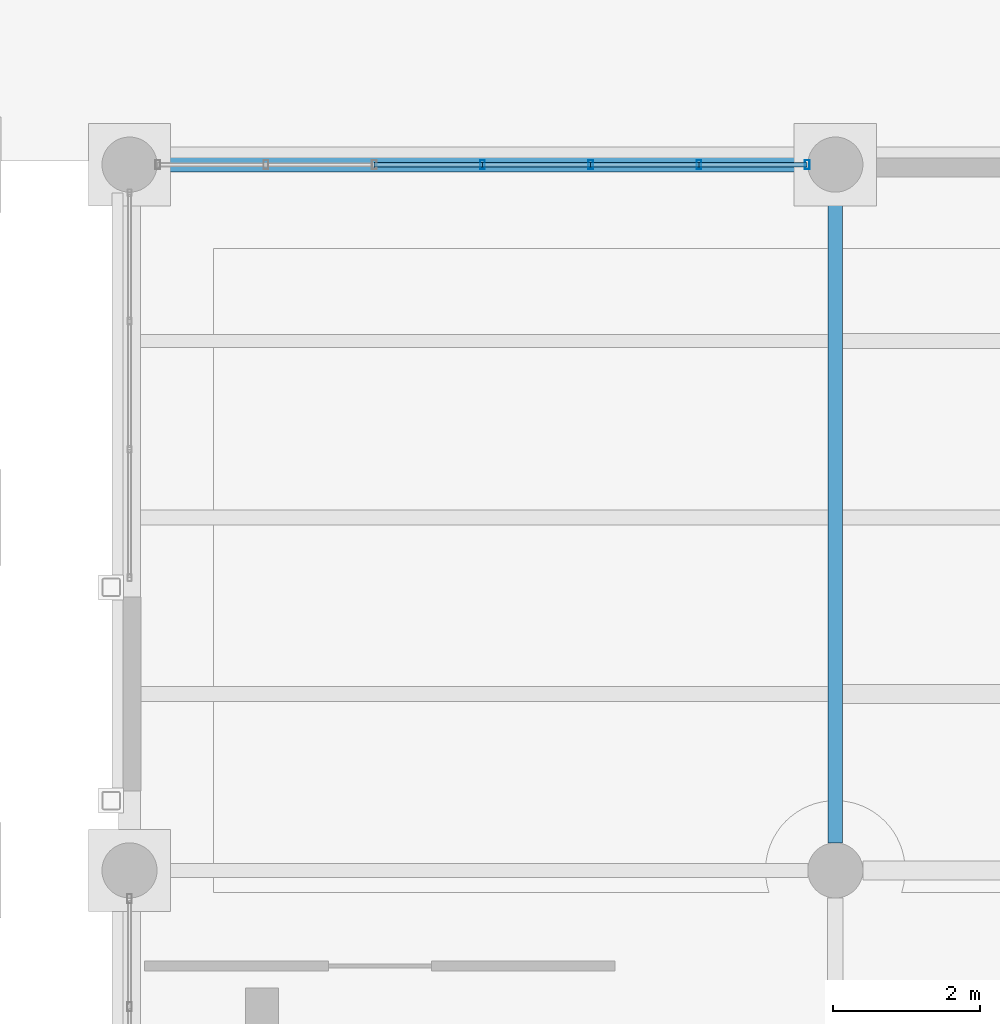
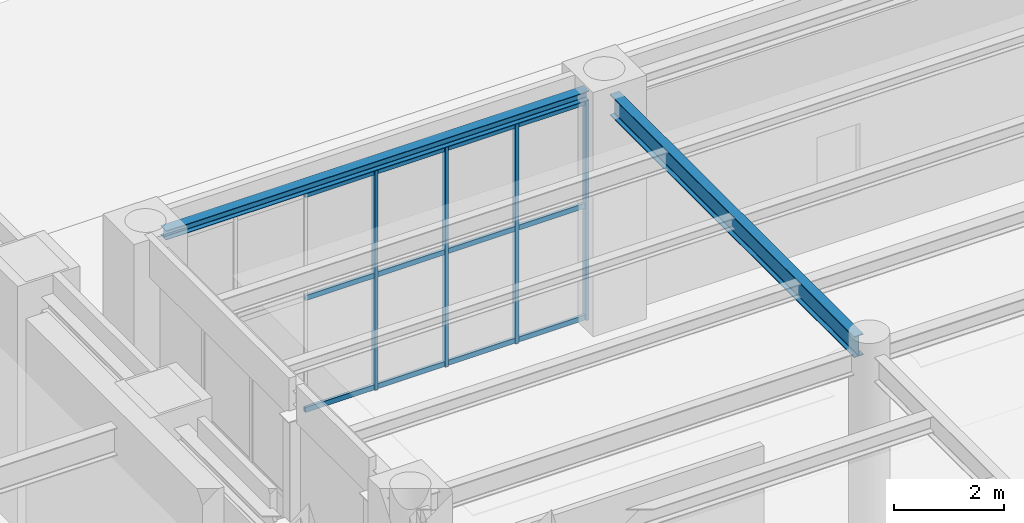
# One storey, part 64 of 164: 16 members, 2 beams, 1 element without a shape of its own.
"""IFC4 building model written with IfcOpenShell, lengths in metres."""

from ifc_helpers import new_model, si_unit, direction, frame, origin, origin_2d, place, context, subcontext, project, spatial, hollow_rectangle, i_section, extrude, material, material_profile, profile_set, type_object, element, aggregate, save


model = new_model("IFC4")

# Units and contexts
model_context = context("Model", 3, precision=1e-05, world=origin(), true_north=direction((0.0, 1.0)))
body_context = subcontext(model_context, "Body", "Model", "MODEL_VIEW")
ifc_project = project(units=[si_unit("LENGTHUNIT", "METRE"), si_unit("AREAUNIT", "SQUARE_METRE"), si_unit("VOLUMEUNIT", "CUBIC_METRE"), si_unit("PLANEANGLEUNIT", "RADIAN"), si_unit("MASSUNIT", "GRAM", prefix="KILO")], contexts=[model_context])

# Site, building, storey
site_placement = place(None, origin())
site = spatial("IfcSite", under=ifc_project, at=site_placement, CompositionType="ELEMENT")
building_placement = place(site_placement, origin())
building = spatial("IfcBuilding", under=site, at=building_placement, Name="Mavantir Sound Aquarium", CompositionType="ELEMENT")
storey_placement = place(building_placement, origin())
storey = spatial("IfcBuildingStorey", under=building, at=storey_placement, Name="L00", CompositionType="ELEMENT", Elevation=0.0)

# Beams
ifc_material_1 = material(Name="Structural Steel ASTM A992 Gr50", Category="steel")
ifc_material_profile_1 = material_profile(ifc_material_1, i_section(OverallWidth=0.202880859375, OverallDepth=0.202880859375, WebThickness=0.007080078125, FlangeThickness=0.010986328125, FilletRadius=0.010009765625, at=origin_2d()), Name="W200X46")
ifc_profile_set_1 = profile_set([ifc_material_profile_1], Name="Structural Steel ASTM A992 Gr50")
beam_type_1 = type_object("IfcBeamType", Name="BM-W200X46-E", PredefinedType="LINTEL", material=ifc_profile_set_1)
beam_1_placement = place(storey_placement, frame((36.375, 69.60009765625, 4.994384765625), z_axis=(1.0, 0.0, 0.0), x_axis=(0.0, 1.0, 0.0)))
element("IfcBeam", 1, at=beam_1_placement, inside=storey, type_object=beam_type_1, Name="L00 primary beam SL-20 874", PredefinedType="LINTEL", context=body_context, shape_type="SweptSolid", body=[
    extrude(i_section(OverallWidth=0.202880859375, OverallDepth=0.202880859375, WebThickness=0.007080078125, FlangeThickness=0.010986328125, FilletRadius=0.010009765625, at=origin_2d()), origin(), (0.0, 0.0, 1.0), 8.85009765625),
])
ifc_material_profile_2 = material_profile(ifc_material_1, i_section(OverallWidth=0.194091796875, OverallDepth=0.468994140625, WebThickness=0.0126953125, FlangeThickness=0.0205078125, FilletRadius=0.01611328125, at=origin_2d()), Name="W460X106")
ifc_profile_set_2 = profile_set([ifc_material_profile_2], Name="Structural Steel ASTM A992 Gr50")
beam_type_2 = type_object("IfcBeamType", Name="BM-W460X106-I", PredefinedType="BEAM", material=ifc_profile_set_2)
beam_2_placement = place(storey_placement, frame((45.60009765625, 60.375, 4.861572265625), z_axis=(0.0, 1.0, 0.0), x_axis=(-1.0, 0.0, 0.0)))
element("IfcBeam", 2, at=beam_2_placement, inside=storey, type_object=beam_type_2, Name="L00 primary girder SB-46 882", PredefinedType="BEAM", context=body_context, shape_type="SweptSolid", body=[
    extrude(i_section(OverallWidth=0.194091796875, OverallDepth=0.468994140625, WebThickness=0.0126953125, FlangeThickness=0.0205078125, FilletRadius=0.01611328125, at=origin_2d()), origin(), (0.0, 0.0, 1.0), 8.85009765625),
])

# Curtain wall, members
ifc_material_2 = material(Name="Anodised Marine Aluminium and Low-E Glass", Category="aluminium")
curtain_wall_type = type_object("IfcCurtainWallType", Name="CW-T02", PredefinedType="USERDEFINED", material=ifc_material_2)
curtain_wall_placement = place(storey_placement, origin())
curtain_wall = element("IfcCurtainWall", 3, at=curtain_wall_placement, inside=storey, type_object=curtain_wall_type, Name="L00 unitised curtain wall CW-02 2", ObjectType="UNITISED GLAZING", PredefinedType="USERDEFINED")
ifc_material_3 = material(Name="Anodised Marine Aluminium 6063-T6", Category="aluminium")
ifc_material_profile_3 = material_profile(ifc_material_3, hollow_rectangle(XDim=0.06494140625, YDim=0.1201171875, WallThickness=0.00390625, at=origin_2d()), Name="ALU-MULLION-120X65")
ifc_profile_set_3 = profile_set([ifc_material_profile_3], Name="Anodised Marine Aluminium 6063-T6")
member_type_1 = type_object("IfcMemberType", Name="CW-MUL-120", PredefinedType="MULLION", material=ifc_profile_set_3)
member_1_placement = place(storey_placement, frame((45.217041015625, 69.60009765625, 0.0), z_axis=(0.0, 0.0, 1.0), x_axis=(1.0, 0.0, 0.0)))
member_1 = element("IfcMember", 4, at=member_1_placement, type_object=member_type_1, Name="CW-L00-002 vertical mullion 1", PredefinedType="MULLION", context=body_context, shape_type="SweptSolid", body=[
    extrude(hollow_rectangle(XDim=0.06494140625, YDim=0.1201171875, WallThickness=0.00390625, at=origin_2d()), origin(), (0.0, 0.0, 1.0), 4.863037109375),
])
member_2_placement = place(storey_placement, frame((43.74462890625, 69.60009765625, 0.0), z_axis=(0.0, 0.0, 1.0), x_axis=(1.0, 0.0, 0.0)))
member_2 = element("IfcMember", 5, at=member_2_placement, type_object=member_type_1, Name="CW-L00-002 vertical mullion 2", PredefinedType="MULLION", context=body_context, shape_type="SweptSolid", body=[
    extrude(hollow_rectangle(XDim=0.06494140625, YDim=0.1201171875, WallThickness=0.00390625, at=origin_2d()), origin(), (0.0, 0.0, 1.0), 4.863037109375),
])
member_3_placement = place(storey_placement, frame((42.272216796875, 69.60009765625, 0.0), z_axis=(0.0, 0.0, 1.0), x_axis=(1.0, 0.0, 0.0)))
member_3 = element("IfcMember", 6, at=member_3_placement, type_object=member_type_1, Name="CW-L00-002 vertical mullion 3", PredefinedType="MULLION", context=body_context, shape_type="SweptSolid", body=[
    extrude(hollow_rectangle(XDim=0.06494140625, YDim=0.1201171875, WallThickness=0.00390625, at=origin_2d()), origin(), (0.0, 0.0, 1.0), 4.863037109375),
])
member_4_placement = place(storey_placement, frame((40.800048828125, 69.60009765625, 0.0), z_axis=(0.0, 0.0, 1.0), x_axis=(1.0, 0.0, 0.0)))
member_4 = element("IfcMember", 7, at=member_4_placement, type_object=member_type_1, Name="CW-L00-002 vertical mullion 4", PredefinedType="MULLION", context=body_context, shape_type="SweptSolid", body=[
    extrude(hollow_rectangle(XDim=0.06494140625, YDim=0.1201171875, WallThickness=0.00390625, at=origin_2d()), origin(), (0.0, 0.0, 1.0), 4.863037109375),
])
ifc_material_profile_4 = material_profile(ifc_material_3, hollow_rectangle(XDim=0.06005859375, YDim=0.110107421875, WallThickness=0.00390625, at=origin_2d()), Name="ALU-TRANSOM-110X60")
ifc_profile_set_4 = profile_set([ifc_material_profile_4], Name="Anodised Marine Aluminium 6063-T6")
member_type_2 = type_object("IfcMemberType", Name="CW-TRN-110", PredefinedType="USERDEFINED", material=ifc_profile_set_4)
member_5_placement = place(storey_placement, frame((45.217041015625, 69.60009765625, 0.054931640625), z_axis=(-1.0, 0.0, 0.0), x_axis=(0.0, -1.0, 0.0)))
member_5 = element("IfcMember", 8, at=member_5_placement, type_object=member_type_2, Name="CW-L00-002 transom 1.1", ObjectType="TRANSOM", PredefinedType="USERDEFINED", context=body_context, shape_type="SweptSolid", body=[
    extrude(hollow_rectangle(XDim=0.06005859375, YDim=0.110107421875, WallThickness=0.00390625, at=origin_2d()), origin(), (0.0, 0.0, 1.0), 1.472412109375),
])
member_6_placement = place(storey_placement, frame((45.217041015625, 69.60009765625, 2.52880859375), z_axis=(-1.0, 0.0, 0.0), x_axis=(0.0, -1.0, 0.0)))
member_6 = element("IfcMember", 9, at=member_6_placement, type_object=member_type_2, Name="CW-L00-002 transom 1.2", ObjectType="TRANSOM", PredefinedType="USERDEFINED", context=body_context, shape_type="SweptSolid", body=[
    extrude(hollow_rectangle(XDim=0.06005859375, YDim=0.110107421875, WallThickness=0.00390625, at=origin_2d()), origin(), (0.0, 0.0, 1.0), 1.472412109375),
])
member_7_placement = place(storey_placement, frame((45.217041015625, 69.60009765625, 4.80810546875), z_axis=(-1.0, 0.0, 0.0), x_axis=(0.0, -1.0, 0.0)))
member_7 = element("IfcMember", 10, at=member_7_placement, type_object=member_type_2, Name="CW-L00-002 transom 1.3", ObjectType="TRANSOM", PredefinedType="USERDEFINED", context=body_context, shape_type="SweptSolid", body=[
    extrude(hollow_rectangle(XDim=0.06005859375, YDim=0.110107421875, WallThickness=0.00390625, at=origin_2d()), origin(), (0.0, 0.0, 1.0), 1.472412109375),
])
member_8_placement = place(storey_placement, frame((43.74462890625, 69.60009765625, 0.054931640625), z_axis=(-1.0, 0.0, 0.0), x_axis=(0.0, -1.0, 0.0)))
member_8 = element("IfcMember", 11, at=member_8_placement, type_object=member_type_2, Name="CW-L00-002 transom 2.1", ObjectType="TRANSOM", PredefinedType="USERDEFINED", context=body_context, shape_type="SweptSolid", body=[
    extrude(hollow_rectangle(XDim=0.06005859375, YDim=0.110107421875, WallThickness=0.00390625, at=origin_2d()), origin(), (0.0, 0.0, 1.0), 1.472412109375),
])
member_9_placement = place(storey_placement, frame((43.74462890625, 69.60009765625, 2.52880859375), z_axis=(-1.0, 0.0, 0.0), x_axis=(0.0, -1.0, 0.0)))
member_9 = element("IfcMember", 12, at=member_9_placement, type_object=member_type_2, Name="CW-L00-002 transom 2.2", ObjectType="TRANSOM", PredefinedType="USERDEFINED", context=body_context, shape_type="SweptSolid", body=[
    extrude(hollow_rectangle(XDim=0.06005859375, YDim=0.110107421875, WallThickness=0.00390625, at=origin_2d()), origin(), (0.0, 0.0, 1.0), 1.472412109375),
])
member_10_placement = place(storey_placement, frame((43.74462890625, 69.60009765625, 4.80810546875), z_axis=(-1.0, 0.0, 0.0), x_axis=(0.0, -1.0, 0.0)))
member_10 = element("IfcMember", 13, at=member_10_placement, type_object=member_type_2, Name="CW-L00-002 transom 2.3", ObjectType="TRANSOM", PredefinedType="USERDEFINED", context=body_context, shape_type="SweptSolid", body=[
    extrude(hollow_rectangle(XDim=0.06005859375, YDim=0.110107421875, WallThickness=0.00390625, at=origin_2d()), origin(), (0.0, 0.0, 1.0), 1.472412109375),
])
member_11_placement = place(storey_placement, frame((42.272216796875, 69.60009765625, 0.054931640625), z_axis=(-1.0, 0.0, 0.0), x_axis=(0.0, -1.0, 0.0)))
member_11 = element("IfcMember", 14, at=member_11_placement, type_object=member_type_2, Name="CW-L00-002 transom 3.1", ObjectType="TRANSOM", PredefinedType="USERDEFINED", context=body_context, shape_type="SweptSolid", body=[
    extrude(hollow_rectangle(XDim=0.06005859375, YDim=0.110107421875, WallThickness=0.00390625, at=origin_2d()), origin(), (0.0, 0.0, 1.0), 1.47216796875),
])
member_12_placement = place(storey_placement, frame((42.272216796875, 69.60009765625, 2.52880859375), z_axis=(-1.0, 0.0, 0.0), x_axis=(0.0, -1.0, 0.0)))
member_12 = element("IfcMember", 15, at=member_12_placement, type_object=member_type_2, Name="CW-L00-002 transom 3.2", ObjectType="TRANSOM", PredefinedType="USERDEFINED", context=body_context, shape_type="SweptSolid", body=[
    extrude(hollow_rectangle(XDim=0.06005859375, YDim=0.110107421875, WallThickness=0.00390625, at=origin_2d()), origin(), (0.0, 0.0, 1.0), 1.47216796875),
])
member_13_placement = place(storey_placement, frame((42.272216796875, 69.60009765625, 4.80810546875), z_axis=(-1.0, 0.0, 0.0), x_axis=(0.0, -1.0, 0.0)))
member_13 = element("IfcMember", 16, at=member_13_placement, type_object=member_type_2, Name="CW-L00-002 transom 3.3", ObjectType="TRANSOM", PredefinedType="USERDEFINED", context=body_context, shape_type="SweptSolid", body=[
    extrude(hollow_rectangle(XDim=0.06005859375, YDim=0.110107421875, WallThickness=0.00390625, at=origin_2d()), origin(), (0.0, 0.0, 1.0), 1.47216796875),
])
member_14_placement = place(storey_placement, frame((40.800048828125, 69.60009765625, 0.054931640625), z_axis=(-1.0, 0.0, 0.0), x_axis=(0.0, -1.0, 0.0)))
member_14 = element("IfcMember", 17, at=member_14_placement, type_object=member_type_2, Name="CW-L00-002 transom 4.1", ObjectType="TRANSOM", PredefinedType="USERDEFINED", context=body_context, shape_type="SweptSolid", body=[
    extrude(hollow_rectangle(XDim=0.06005859375, YDim=0.110107421875, WallThickness=0.00390625, at=origin_2d()), origin(), (0.0, 0.0, 1.0), 1.472412109375),
])
member_15_placement = place(storey_placement, frame((40.800048828125, 69.60009765625, 2.52880859375), z_axis=(-1.0, 0.0, 0.0), x_axis=(0.0, -1.0, 0.0)))
member_15 = element("IfcMember", 18, at=member_15_placement, type_object=member_type_2, Name="CW-L00-002 transom 4.2", ObjectType="TRANSOM", PredefinedType="USERDEFINED", context=body_context, shape_type="SweptSolid", body=[
    extrude(hollow_rectangle(XDim=0.06005859375, YDim=0.110107421875, WallThickness=0.00390625, at=origin_2d()), origin(), (0.0, 0.0, 1.0), 1.472412109375),
])
member_16_placement = place(storey_placement, frame((40.800048828125, 69.60009765625, 4.80810546875), z_axis=(-1.0, 0.0, 0.0), x_axis=(0.0, -1.0, 0.0)))
member_16 = element("IfcMember", 19, at=member_16_placement, type_object=member_type_2, Name="CW-L00-002 transom 4.3", ObjectType="TRANSOM", PredefinedType="USERDEFINED", context=body_context, shape_type="SweptSolid", body=[
    extrude(hollow_rectangle(XDim=0.06005859375, YDim=0.110107421875, WallThickness=0.00390625, at=origin_2d()), origin(), (0.0, 0.0, 1.0), 1.472412109375),
])
aggregate(curtain_wall, [member_1, member_2, member_3, member_4, member_5, member_6, member_7, member_8, member_9, member_10, member_11, member_12, member_13, member_14, member_15, member_16])

save(model, "model.ifc")
